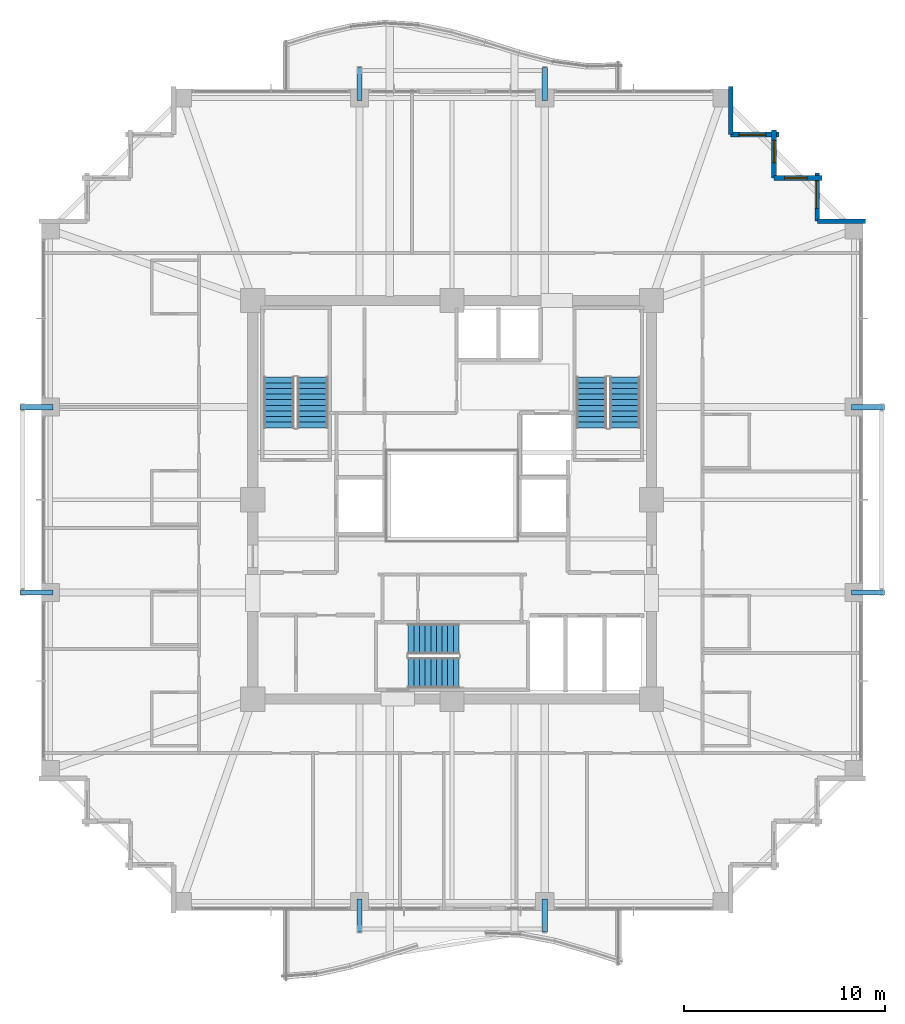
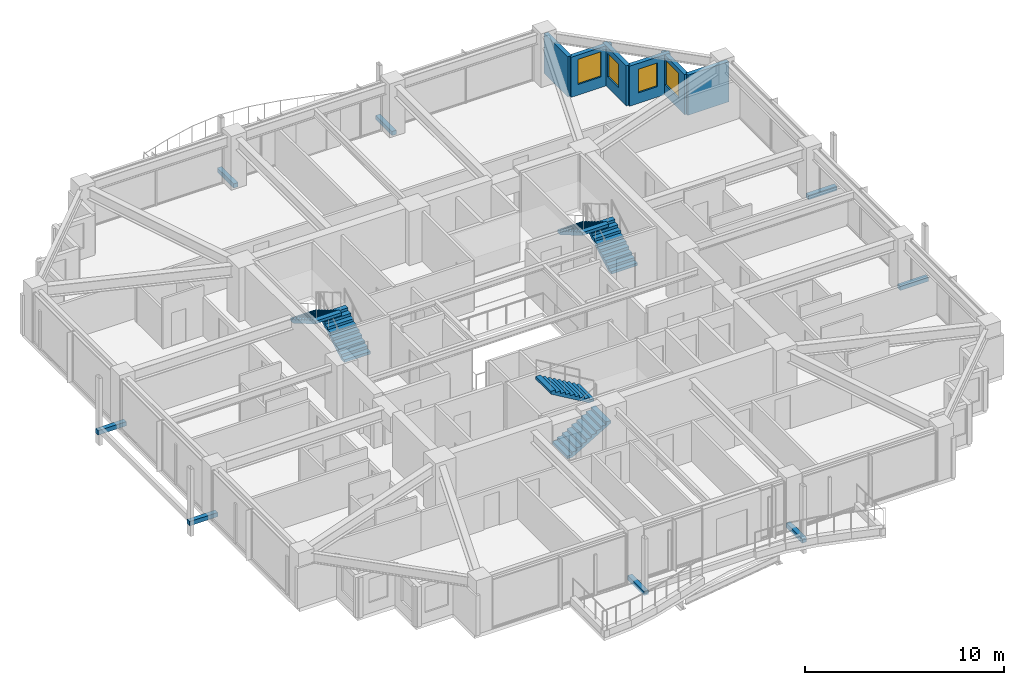
# One storey, part 35 of 37: 8 discrete accessories, 6 stair flights, 6 walls, 4 windows, 4 openings, 3 elements without a shape of their own.
"""IFC4 building model written with IfcOpenShell, lengths in metres."""

from ifc_helpers import new_model, si_unit, direction, frame, frame_2d, origin, origin_2d, place, context, subcontext, project, spatial, polyline, rectangle, outline, extrude, material, layer, layer_set, type_object, element, fill, aggregate, save


model = new_model("IFC4")

# Units and contexts
model_context = context("Model", 3, precision=1e-05, world=origin(), true_north=direction((0.0, 1.0)))
body_context = subcontext(model_context, "Body", "Model", "MODEL_VIEW")
ifc_project = project(units=[si_unit("LENGTHUNIT", "METRE"), si_unit("AREAUNIT", "SQUARE_METRE"), si_unit("VOLUMEUNIT", "CUBIC_METRE"), si_unit("PLANEANGLEUNIT", "RADIAN"), si_unit("MASSUNIT", "GRAM", prefix="KILO")], contexts=[model_context])

# Site, building, storey
site_placement = place(None, origin())
site = spatial("IfcSite", under=ifc_project, at=site_placement, CompositionType="ELEMENT")
building_placement = place(site_placement, origin())
building = spatial("IfcBuilding", under=site, at=building_placement, Name="Kolvaren Belvedere", CompositionType="ELEMENT")
storey_placement = place(building_placement, frame((0.0, 0.0, 173.39990234375)))
storey = spatial("IfcBuildingStorey", under=building, at=storey_placement, Name="L50", CompositionType="ELEMENT", Elevation=173.39990234375)

# Wall
ifc_material_1 = material(Name="Insulated pale-metal facade wall assembly", Category="aluminium")
ifc_layer = layer(ifc_material_1, 0.239990234375)
ifc_layer_set = layer_set([ifc_layer], Name="Insulated pale-metal facade wall assembly")
wall_type = type_object("IfcWallType", Name="WL-EXT-240", PredefinedType="STANDARD", material=ifc_layer_set)
wall_1_placement = place(storey_placement, frame((18.1298828125, 13.830078125, 0.0), z_axis=(0.0, 0.0, 1.0), x_axis=(1.0, 0.0, 0.0)))
element("IfcWall", 1, at=wall_1_placement, inside=storey, type_object=wall_type, Name="L50 Serrated Corner Facade Wall 9", PredefinedType="STANDARD", context=body_context, shape_type="SweptSolid", body=[
    extrude(rectangle(XDim=2.39013671875, YDim=0.239990234375, at=frame_2d((1.195068359375, 0.0))), origin(), (0.0, 0.0, 1.0), 2.463134765625),
])

# Wall, opening, window
wall_2_placement = place(storey_placement, frame((18.1298828125, 16.219970703125, 0.0), z_axis=(0.0, 0.0, 1.0), x_axis=(0.0, -1.0, 0.0)))
wall_2 = element("IfcWall", 2, at=wall_2_placement, inside=storey, type_object=wall_type, Name="L50 Serrated Corner Facade Wall 10", PredefinedType="STANDARD", context=body_context, shape_type="SweptSolid", body=[
    extrude(rectangle(XDim=2.389892578125, YDim=0.239990234375, at=frame_2d((1.19482421875, 0.0))), origin(), (0.0, 0.0, 1.0), 2.463134765625),
])
opening_1_placement = place(wall_2_placement, frame((0.39990234375, 0.0, 0.64990234375)))
opening_1 = element("IfcOpeningElement", 3, at=opening_1_placement, cuts=wall_2, Name="Opening W-1350", PredefinedType="OPENING", context=body_context, shape_type="SweptSolid", body=[
    extrude(rectangle(XDim=1.35009765625, YDim=1.550048828125, at=frame_2d((0.675048828125, 0.77490234375))), frame((0.0, 0.1298828125, 0.0), z_axis=(0.0, -1.0, 0.0), x_axis=(1.0, 0.0, 0.0)), (0.0, 0.0, 1.0), 0.260009765625),
])
ifc_material_2 = material(Name="Low-iron triple insulated glass", Category="glass")
window_type_1 = type_object("IfcWindowType", Name="WN-CORN-1350", PartitioningType="SINGLE_PANEL", PredefinedType="WINDOW", material=ifc_material_2)
window_1_placement = place(opening_1_placement, origin())
window_1 = element("IfcWindow", 4, at=window_1_placement, inside=storey, type_object=window_type_1, Name="L50 Serrated Corner Vision Window 10", OverallHeight=1.550048828125, OverallWidth=1.35009765625, PartitioningType="SINGLE_PANEL", PredefinedType="WINDOW", context=body_context, shape_type="SweptSolid", body=[
    extrude(rectangle(XDim=1.35009765625, YDim=1.550048828125, at=frame_2d((0.675048828125, 0.77490234375))), frame((0.0, 0.030029296875, 0.0), z_axis=(0.0, -1.0, 0.0), x_axis=(1.0, 0.0, 0.0)), (0.0, 0.0, 1.0), 0.06005859375),
])
fill(opening_1, window_1)

wall_3_placement = place(storey_placement, frame((15.97998046875, 15.97998046875, 0.0), z_axis=(0.0, 0.0, 1.0), x_axis=(1.0, 0.0, 0.0)))
wall_3 = element("IfcWall", 5, at=wall_3_placement, inside=storey, type_object=wall_type, Name="L50 Serrated Corner Facade Wall 11", PredefinedType="STANDARD", context=body_context, shape_type="SweptSolid", body=[
    extrude(rectangle(XDim=2.39013671875, YDim=0.239990234375, at=frame_2d((1.195068359375, 0.0))), origin(), (0.0, 0.0, 1.0), 2.463134765625),
])
opening_2_placement = place(wall_3_placement, frame((0.52490234375, 0.0, 0.64990234375)))
opening_2 = element("IfcOpeningElement", 6, at=opening_2_placement, cuts=wall_3, Name="Opening W-1100", PredefinedType="OPENING", context=body_context, shape_type="SweptSolid", body=[
    extrude(rectangle(XDim=1.10009765625, YDim=1.449951171875, at=frame_2d((0.550048828125, 0.72509765625))), frame((0.0, 0.1298828125, 0.0), z_axis=(0.0, -1.0, 0.0), x_axis=(1.0, 0.0, 0.0)), (0.0, 0.0, 1.0), 0.260009765625),
])
ifc_material_3 = material(Name="Low-iron triple insulated glass", Category="glass")
window_type_2 = type_object("IfcWindowType", Name="WN-CORN-1100", PartitioningType="SINGLE_PANEL", PredefinedType="WINDOW", material=ifc_material_3)
window_2_placement = place(opening_2_placement, origin())
window_2 = element("IfcWindow", 7, at=window_2_placement, inside=storey, type_object=window_type_2, Name="L50 Serrated Corner Vision Window 11", OverallHeight=1.449951171875, OverallWidth=1.10009765625, PartitioningType="SINGLE_PANEL", PredefinedType="WINDOW", context=body_context, shape_type="SweptSolid", body=[
    extrude(rectangle(XDim=1.10009765625, YDim=1.449951171875, at=frame_2d((0.550048828125, 0.72509765625))), frame((0.0, 0.030029296875, 0.0), z_axis=(0.0, -1.0, 0.0), x_axis=(1.0, 0.0, 0.0)), (0.0, 0.0, 1.0), 0.06005859375),
])
fill(opening_2, window_2)

wall_4_placement = place(storey_placement, frame((15.97998046875, 18.3701171875, 0.0), z_axis=(0.0, 0.0, 1.0), x_axis=(0.0, -1.0, 0.0)))
wall_4 = element("IfcWall", 8, at=wall_4_placement, inside=storey, type_object=wall_type, Name="L50 Serrated Corner Facade Wall 12", PredefinedType="STANDARD", context=body_context, shape_type="SweptSolid", body=[
    extrude(rectangle(XDim=2.39013671875, YDim=0.239990234375, at=frame_2d((1.195068359375, 0.0))), origin(), (0.0, 0.0, 1.0), 2.463134765625),
])
opening_3_placement = place(wall_4_placement, frame((0.52490234375, 0.0, 0.64990234375)))
opening_3 = element("IfcOpeningElement", 9, at=opening_3_placement, cuts=wall_4, Name="Opening W-1100", PredefinedType="OPENING", context=body_context, shape_type="SweptSolid", body=[
    extrude(rectangle(XDim=1.10009765625, YDim=1.449951171875, at=frame_2d((0.550048828125, 0.72509765625))), frame((0.0, 0.1298828125, 0.0), z_axis=(0.0, -1.0, 0.0), x_axis=(1.0, 0.0, 0.0)), (0.0, 0.0, 1.0), 0.260009765625),
])
window_3_placement = place(opening_3_placement, origin())
window_3 = element("IfcWindow", 10, at=window_3_placement, inside=storey, type_object=window_type_2, Name="L50 Serrated Corner Vision Window 12", OverallHeight=1.449951171875, OverallWidth=1.10009765625, PartitioningType="SINGLE_PANEL", PredefinedType="WINDOW", context=body_context, shape_type="SweptSolid", body=[
    extrude(rectangle(XDim=1.10009765625, YDim=1.449951171875, at=frame_2d((0.550048828125, 0.72509765625))), frame((0.0, 0.030029296875, 0.0), z_axis=(0.0, -1.0, 0.0), x_axis=(1.0, 0.0, 0.0)), (0.0, 0.0, 1.0), 0.06005859375),
])
fill(opening_3, window_3)

wall_5_placement = place(storey_placement, frame((13.830078125, 18.1298828125, 0.0), z_axis=(0.0, 0.0, 1.0), x_axis=(1.0, 0.0, 0.0)))
wall_5 = element("IfcWall", 11, at=wall_5_placement, inside=storey, type_object=wall_type, Name="L50 Serrated Corner Facade Wall 13", PredefinedType="STANDARD", context=body_context, shape_type="SweptSolid", body=[
    extrude(rectangle(XDim=2.389892578125, YDim=0.239990234375, at=frame_2d((1.19482421875, 0.0))), origin(), (0.0, 0.0, 1.0), 2.463134765625),
])
opening_4_placement = place(wall_5_placement, frame((0.39990234375, 0.0, 0.64990234375)))
opening_4 = element("IfcOpeningElement", 12, at=opening_4_placement, cuts=wall_5, Name="Opening W-1350", PredefinedType="OPENING", context=body_context, shape_type="SweptSolid", body=[
    extrude(rectangle(XDim=1.35009765625, YDim=1.550048828125, at=frame_2d((0.675048828125, 0.77490234375))), frame((0.0, 0.1298828125, 0.0), z_axis=(0.0, -1.0, 0.0), x_axis=(1.0, 0.0, 0.0)), (0.0, 0.0, 1.0), 0.260009765625),
])
window_4_placement = place(opening_4_placement, origin())
window_4 = element("IfcWindow", 13, at=window_4_placement, inside=storey, type_object=window_type_1, Name="L50 Serrated Corner Vision Window 13", OverallHeight=1.550048828125, OverallWidth=1.35009765625, PartitioningType="SINGLE_PANEL", PredefinedType="WINDOW", context=body_context, shape_type="SweptSolid", body=[
    extrude(rectangle(XDim=1.35009765625, YDim=1.550048828125, at=frame_2d((0.675048828125, 0.77490234375))), frame((0.0, 0.030029296875, 0.0), z_axis=(0.0, -1.0, 0.0), x_axis=(1.0, 0.0, 0.0)), (0.0, 0.0, 1.0), 0.06005859375),
])
fill(opening_4, window_4)

# Wall
wall_6_placement = place(storey_placement, frame((13.830078125, 20.52001953125, 0.0), z_axis=(0.0, 0.0, 1.0), x_axis=(0.0, -1.0, 0.0)))
element("IfcWall", 14, at=wall_6_placement, inside=storey, type_object=wall_type, Name="L50 Serrated Corner Facade Wall 14", PredefinedType="STANDARD", context=body_context, shape_type="SweptSolid", body=[
    extrude(rectangle(XDim=2.39013671875, YDim=0.239990234375, at=frame_2d((1.195068359375, 0.0))), origin(), (0.0, 0.0, 1.0), 2.463134765625),
])

# Stair, stair flights
ifc_material_4 = material(Name="Concrete C50/60", Category="concrete")
stair_type = type_object("IfcStairType", Name="ST-CORE-1520", PredefinedType="HALF_TURN_STAIR", material=ifc_material_4)
stair_1_placement = place(storey_placement, origin())
stair_1 = element("IfcStair", 15, at=stair_1_placement, inside=storey, type_object=stair_type, Name="L50 Protected Exit Stair ST-1", PredefinedType="HALF_TURN_STAIR")
ifc_material_5 = material(Name="Concrete C50/60", Category="concrete")
stair_flight_type = type_object("IfcStairFlightType", Name="SF-STR-1520", PredefinedType="STRAIGHT", material=ifc_material_5)
stair_flight_1_placement = place(storey_placement, frame((-6.919921875, 3.570068359375, 0.0), z_axis=(0.0, 0.0, 1.0), x_axis=(0.0, 1.0, 0.0)))
stair_flight_1 = element("IfcStairFlight", 16, at=stair_flight_1_placement, type_object=stair_flight_type, Name="ST-1 flight 1", NumberOfRisers=10, NumberOfTreads=9, PredefinedType="STRAIGHT", RiserHeight=0.165, TreadLength=0.28, context=body_context, shape_type="SweptSolid", body=[
    extrude(outline(polyline([(0.0, 0.0), (0.0, 0.1650390625), (0.280029296875, 0.1650390625), (0.280029296875, 0.330078125), (0.56005859375, 0.330078125), (0.56005859375, 0.4951171875), (0.840087890625, 0.4951171875), (0.840087890625, 0.659912109375), (1.1201171875, 0.659912109375), (1.1201171875, 0.824951171875), (1.39990234375, 0.824951171875), (1.39990234375, 0.989990234375), (1.679931640625, 0.989990234375), (1.679931640625, 1.155029296875), (1.9599609375, 1.155029296875), (1.9599609375, 1.320068359375), (2.239990234375, 1.320068359375), (2.239990234375, 1.485107421875), (2.52001953125, 1.485107421875), (2.52001953125, 1.64990234375), (2.52001953125, 1.31103515625), (0.295166015625, 0.0), (0.0, 0.0)])), frame((0.0, 0.760009765625, 0.0), z_axis=(0.0, -1.0, 0.0), x_axis=(1.0, 0.0, 0.0)), (0.0, 0.0, 1.0), 1.52001953125),
])
stair_flight_2_placement = place(storey_placement, frame((-8.590087890625, 6.090087890625, 1.650146484375), z_axis=(0.0, 0.0, 1.0), x_axis=(0.0, -1.0, 0.0)))
stair_flight_2 = element("IfcStairFlight", 17, at=stair_flight_2_placement, type_object=stair_flight_type, Name="ST-1 flight 2", NumberOfRisers=10, NumberOfTreads=9, PredefinedType="STRAIGHT", RiserHeight=0.165, TreadLength=0.28, context=body_context, shape_type="SweptSolid", body=[
    extrude(outline(polyline([(0.0, 0.0), (0.0, 0.1650390625), (0.280029296875, 0.1650390625), (0.280029296875, 0.330078125), (0.56005859375, 0.330078125), (0.56005859375, 0.4951171875), (0.840087890625, 0.4951171875), (0.840087890625, 0.659912109375), (1.1201171875, 0.659912109375), (1.1201171875, 0.824951171875), (1.39990234375, 0.824951171875), (1.39990234375, 0.989990234375), (1.679931640625, 0.989990234375), (1.679931640625, 1.155029296875), (1.9599609375, 1.155029296875), (1.9599609375, 1.320068359375), (2.239990234375, 1.320068359375), (2.239990234375, 1.485107421875), (2.52001953125, 1.485107421875), (2.52001953125, 1.64990234375), (2.52001953125, 1.31103515625), (0.295166015625, 0.0), (0.0, 0.0)])), frame((0.0, 0.760009765625, 0.0), z_axis=(0.0, -1.0, 0.0), x_axis=(1.0, 0.0, 0.0)), (0.0, 0.0, 1.0), 1.52001953125),
])
aggregate(stair_1, [stair_flight_1, stair_flight_2])

stair_2_placement = place(storey_placement, origin())
stair_2 = element("IfcStair", 18, at=stair_2_placement, inside=storey, type_object=stair_type, Name="L50 Protected Exit Stair ST-2", PredefinedType="HALF_TURN_STAIR")
stair_flight_3_placement = place(storey_placement, frame((8.590087890625, 3.570068359375, 0.0), z_axis=(0.0, 0.0, 1.0), x_axis=(0.0, 1.0, 0.0)))
stair_flight_3 = element("IfcStairFlight", 19, at=stair_flight_3_placement, type_object=stair_flight_type, Name="ST-2 flight 1", NumberOfRisers=10, NumberOfTreads=9, PredefinedType="STRAIGHT", RiserHeight=0.165, TreadLength=0.28, context=body_context, shape_type="SweptSolid", body=[
    extrude(outline(polyline([(0.0, 0.0), (0.0, 0.1650390625), (0.280029296875, 0.1650390625), (0.280029296875, 0.330078125), (0.56005859375, 0.330078125), (0.56005859375, 0.4951171875), (0.840087890625, 0.4951171875), (0.840087890625, 0.659912109375), (1.1201171875, 0.659912109375), (1.1201171875, 0.824951171875), (1.39990234375, 0.824951171875), (1.39990234375, 0.989990234375), (1.679931640625, 0.989990234375), (1.679931640625, 1.155029296875), (1.9599609375, 1.155029296875), (1.9599609375, 1.320068359375), (2.239990234375, 1.320068359375), (2.239990234375, 1.485107421875), (2.52001953125, 1.485107421875), (2.52001953125, 1.64990234375), (2.52001953125, 1.31103515625), (0.295166015625, 0.0), (0.0, 0.0)])), frame((0.0, 0.760009765625, 0.0), z_axis=(0.0, -1.0, 0.0), x_axis=(1.0, 0.0, 0.0)), (0.0, 0.0, 1.0), 1.52001953125),
])
stair_flight_4_placement = place(storey_placement, frame((6.919921875, 6.090087890625, 1.650146484375), z_axis=(0.0, 0.0, 1.0), x_axis=(0.0, -1.0, 0.0)))
stair_flight_4 = element("IfcStairFlight", 20, at=stair_flight_4_placement, type_object=stair_flight_type, Name="ST-2 flight 2", NumberOfRisers=10, NumberOfTreads=9, PredefinedType="STRAIGHT", RiserHeight=0.165, TreadLength=0.28, context=body_context, shape_type="SweptSolid", body=[
    extrude(outline(polyline([(0.0, 0.0), (0.0, 0.1650390625), (0.280029296875, 0.1650390625), (0.280029296875, 0.330078125), (0.56005859375, 0.330078125), (0.56005859375, 0.4951171875), (0.840087890625, 0.4951171875), (0.840087890625, 0.659912109375), (1.1201171875, 0.659912109375), (1.1201171875, 0.824951171875), (1.39990234375, 0.824951171875), (1.39990234375, 0.989990234375), (1.679931640625, 0.989990234375), (1.679931640625, 1.155029296875), (1.9599609375, 1.155029296875), (1.9599609375, 1.320068359375), (2.239990234375, 1.320068359375), (2.239990234375, 1.485107421875), (2.52001953125, 1.485107421875), (2.52001953125, 1.64990234375), (2.52001953125, 1.31103515625), (0.295166015625, 0.0), (0.0, 0.0)])), frame((0.0, 0.760009765625, 0.0), z_axis=(0.0, -1.0, 0.0), x_axis=(1.0, 0.0, 0.0)), (0.0, 0.0, 1.0), 1.52001953125),
])
aggregate(stair_2, [stair_flight_3, stair_flight_4])

stair_3_placement = place(storey_placement, origin())
stair_3 = element("IfcStair", 21, at=stair_3_placement, inside=storey, type_object=stair_type, Name="L50 Protected Exit Stair ST-3", PredefinedType="HALF_TURN_STAIR")
stair_flight_5_placement = place(storey_placement, frame((-2.179931640625, -8.590087890625, 0.0), z_axis=(0.0, 0.0, 1.0), x_axis=(1.0, 0.0, 0.0)))
stair_flight_5 = element("IfcStairFlight", 22, at=stair_flight_5_placement, type_object=stair_flight_type, Name="ST-3 flight 1", NumberOfRisers=10, NumberOfTreads=9, PredefinedType="STRAIGHT", RiserHeight=0.165, TreadLength=0.28, context=body_context, shape_type="SweptSolid", body=[
    extrude(outline(polyline([(0.0, 0.0), (0.0, 0.1650390625), (0.280029296875, 0.1650390625), (0.280029296875, 0.330078125), (0.56005859375, 0.330078125), (0.56005859375, 0.4951171875), (0.840087890625, 0.4951171875), (0.840087890625, 0.659912109375), (1.1201171875, 0.659912109375), (1.1201171875, 0.824951171875), (1.39990234375, 0.824951171875), (1.39990234375, 0.989990234375), (1.679931640625, 0.989990234375), (1.679931640625, 1.155029296875), (1.9599609375, 1.155029296875), (1.9599609375, 1.320068359375), (2.239990234375, 1.320068359375), (2.239990234375, 1.485107421875), (2.52001953125, 1.485107421875), (2.52001953125, 1.64990234375), (2.52001953125, 1.31103515625), (0.295166015625, 0.0), (0.0, 0.0)])), frame((0.0, 0.760009765625, 0.0), z_axis=(0.0, -1.0, 0.0), x_axis=(1.0, 0.0, 0.0)), (0.0, 0.0, 1.0), 1.52001953125),
])
stair_flight_6_placement = place(storey_placement, frame((0.340087890625, -6.919921875, 1.650146484375), z_axis=(0.0, 0.0, 1.0), x_axis=(-1.0, 0.0, 0.0)))
stair_flight_6 = element("IfcStairFlight", 23, at=stair_flight_6_placement, type_object=stair_flight_type, Name="ST-3 flight 2", NumberOfRisers=10, NumberOfTreads=9, PredefinedType="STRAIGHT", RiserHeight=0.165, TreadLength=0.28, context=body_context, shape_type="SweptSolid", body=[
    extrude(outline(polyline([(0.0, 0.0), (0.0, 0.1650390625), (0.280029296875, 0.1650390625), (0.280029296875, 0.330078125), (0.56005859375, 0.330078125), (0.56005859375, 0.4951171875), (0.840087890625, 0.4951171875), (0.840087890625, 0.659912109375), (1.1201171875, 0.659912109375), (1.1201171875, 0.824951171875), (1.39990234375, 0.824951171875), (1.39990234375, 0.989990234375), (1.679931640625, 0.989990234375), (1.679931640625, 1.155029296875), (1.9599609375, 1.155029296875), (1.9599609375, 1.320068359375), (2.239990234375, 1.320068359375), (2.239990234375, 1.485107421875), (2.52001953125, 1.485107421875), (2.52001953125, 1.64990234375), (2.52001953125, 1.31103515625), (0.295166015625, 0.0), (0.0, 0.0)])), frame((0.0, 0.760009765625, 0.0), z_axis=(0.0, -1.0, 0.0), x_axis=(1.0, 0.0, 0.0)), (0.0, 0.0, 1.0), 1.52001953125),
])
aggregate(stair_3, [stair_flight_5, stair_flight_6])

# Discrete accessories
ifc_material_6 = material(Name="Structural steel ASTM A572 Grade 50", Category="steel")
discrete_accessory_type = type_object("IfcDiscreteAccessoryType", Name="BRK-1 Steel Facade Support Bracket", PredefinedType="BRACKET", material=ifc_material_6)
for number, where, z_axis, x_axis, name in (
    (24, (-4.60009765625, 20.635009765625, -0.169921875), (0.0, 0.0, 1.0), (0.0, 1.0, 0.0), "L50 Picture-Frame Outrigger Cleat Bracket N1"),
    (25, (4.60009765625, 20.635009765625, -0.169921875), (0.0, 0.0, 1.0), (0.0, 1.0, 0.0), "L50 Picture-Frame Outrigger Cleat Bracket N2"),
    (26, (4.60009765625, -20.635009765625, -0.169921875), (0.0, 0.0, 1.0), (0.0, 1.0, 0.0), "L50 Picture-Frame Outrigger Cleat Bracket S1"),
    (27, (-4.60009765625, -20.635009765625, -0.169921875), (0.0, 0.0, 1.0), (0.0, 1.0, 0.0), "L50 Picture-Frame Outrigger Cleat Bracket S2"),
    (28, (20.635009765625, 4.60009765625, -0.169921875), (0.0, 0.0, 1.0), (1.0, 0.0, 0.0), "L50 Picture-Frame Outrigger Cleat Bracket E1"),
    (29, (20.635009765625, -4.60009765625, -0.169921875), (0.0, 0.0, 1.0), (1.0, 0.0, 0.0), "L50 Picture-Frame Outrigger Cleat Bracket E2"),
    (30, (-20.635009765625, -4.60009765625, -0.169921875), (0.0, 0.0, 1.0), (1.0, 0.0, 0.0), "L50 Picture-Frame Outrigger Cleat Bracket W1"),
    (31, (-20.635009765625, 4.60009765625, -0.169921875), (0.0, 0.0, 1.0), (1.0, 0.0, 0.0), "L50 Picture-Frame Outrigger Cleat Bracket W2"),
):
    element("IfcDiscreteAccessory", number, at=place(storey_placement, frame(where, z_axis=z_axis, x_axis=x_axis)), inside=storey, type_object=discrete_accessory_type, Name=name, PredefinedType="BRACKET", context=body_context, shape_type="SweptSolid", body=[
        extrude(rectangle(XDim=1.639892578125, YDim=0.260009765625, at=origin_2d()), origin(), (0.0, 0.0, 1.0), 0.260009765625),
    ])

save(model, "model.ifc")
